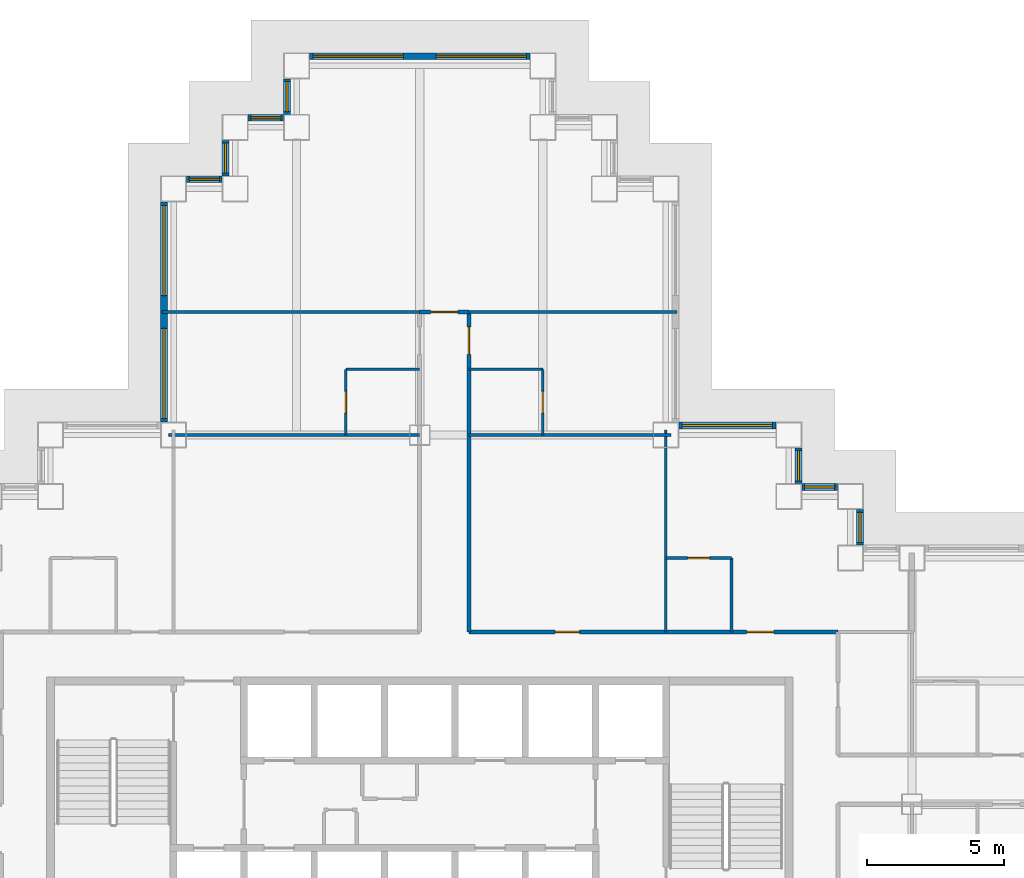
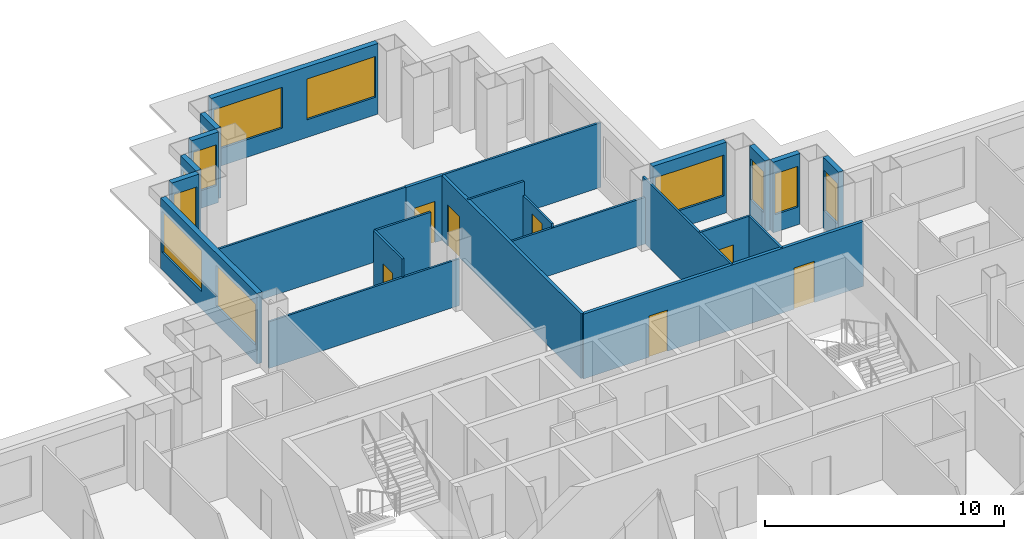
# One storey, part 8 of 14: 24 walls, 12 windows, 7 doors, 19 openings.
"""IFC4 building model written with IfcOpenShell, lengths in metres."""

from ifc_helpers import new_model, si_unit, direction, frame, frame_2d, origin, place, context, subcontext, project, spatial, rectangle, extrude, material, layer, layer_set, type_object, element, fill, save


model = new_model("IFC4")

# Units and contexts
model_context = context("Model", 3, precision=1e-05, world=origin(), true_north=direction((0.0, 1.0)))
body_context = subcontext(model_context, "Body", "Model", "MODEL_VIEW")
ifc_project = project(units=[si_unit("LENGTHUNIT", "METRE"), si_unit("AREAUNIT", "SQUARE_METRE"), si_unit("VOLUMEUNIT", "CUBIC_METRE"), si_unit("PLANEANGLEUNIT", "RADIAN"), si_unit("MASSUNIT", "GRAM", prefix="KILO")], contexts=[model_context])

# Site, building, storey
site_placement = place(None, origin())
site = spatial("IfcSite", under=ifc_project, at=site_placement, CompositionType="ELEMENT")
building_placement = place(site_placement, origin())
building = spatial("IfcBuilding", under=site, at=building_placement, Name="Caravel Reach Hotel and Residences", CompositionType="ELEMENT")
storey_placement = place(building_placement, frame((0.0, 0.0, 88.800048828125)))
storey = spatial("IfcBuildingStorey", under=building, at=storey_placement, Name="L21", CompositionType="ELEMENT", Elevation=88.800048828125)

# Wall, opening, door
ifc_material_1 = material(Name="Gypsum board on steel stud", Category="steel")
ifc_layer_1 = layer(ifc_material_1, 0.10009765625)
ifc_layer_set_1 = layer_set([ifc_layer_1], Name="Bathroom pod wall 100 mm")
wall_type_1 = type_object("IfcWallType", Name="Bathroom pod wall 100 mm", PredefinedType="PARTITIONING", material=ifc_layer_set_1)
wall_1_placement = place(storey_placement, frame((40.5, 36.0, 0.0), z_axis=(0.0, 0.0, 1.0), x_axis=(1.0, 0.0, 0.0)))
wall_1 = element("IfcWall", 1, at=wall_1_placement, inside=storey, type_object=wall_type_1, Name="L21 wall w080", PredefinedType="PARTITIONING", context=body_context, shape_type="SweptSolid", body=[
    extrude(rectangle(XDim=2.39990234375, YDim=0.10009765625, at=frame_2d((1.199951171875, 0.0))), origin(), (0.0, 0.0, 1.0), 3.300048828125),
])
opening_1_placement = place(wall_1_placement, frame((0.800048828125, 0.0, 0.0)))
opening_1 = element("IfcOpeningElement", 2, at=opening_1_placement, cuts=wall_1, Name="Opening D21-041", PredefinedType="OPENING", context=body_context, shape_type="SweptSolid", body=[
    extrude(rectangle(XDim=0.800048828125, YDim=2.10009765625, at=frame_2d((0.39990234375, 1.050048828125))), frame((0.0, 0.06005859375, 0.0), z_axis=(0.0, -1.0, 0.0), x_axis=(1.0, 0.0, 0.0)), (0.0, 0.0, 1.0), 0.1201171875),
])
ifc_material_2 = material(Name="Timber and steel door leaf", Category="steel")
door_type_1 = type_object("IfcDoorType", Name="Bathroom door 800 x 2100", OperationType="SINGLE_SWING_LEFT", PredefinedType="DOOR", material=ifc_material_2)
door_1_placement = place(opening_1_placement, origin())
door_1 = element("IfcDoor", 3, at=door_1_placement, inside=storey, type_object=door_type_1, Name="door D21-041", OperationType="SINGLE_SWING_RIGHT", OverallHeight=2.10009765625, OverallWidth=0.800048828125, PredefinedType="DOOR", context=body_context, shape_type="SweptSolid", body=[
    extrude(rectangle(XDim=0.800048828125, YDim=2.10009765625, at=frame_2d((0.39990234375, 1.050048828125))), frame((0.0, 0.02490234375, 0.0), z_axis=(0.0, -1.0, 0.0), x_axis=(1.0, 0.0, 0.0)), (0.0, 0.0, 1.0), 0.050048828125),
])
fill(opening_1, door_1)

# Walls
for number, where, z_axis, x_axis, name in (
    (4, (33.300048828125, 42.89990234375, 0.0), (0.0, 0.0, 1.0), (1.0, 0.0, 0.0), "L21 wall w081"),
    (5, (28.800048828125, 42.89990234375, 0.0), (0.0, 0.0, 1.0), (1.0, 0.0, 0.0), "L21 wall w082"),
):
    element("IfcWall", number, at=place(storey_placement, frame(where, z_axis=z_axis, x_axis=x_axis)), inside=storey, type_object=wall_type_1, Name=name, PredefinedType="PARTITIONING", context=body_context, shape_type="SweptSolid", body=[
        extrude(rectangle(XDim=2.699951171875, YDim=0.10009765625, at=frame_2d((1.35009765625, 0.0))), origin(), (0.0, 0.0, 1.0), 3.300048828125),
    ])

# Wall, opening, door
wall_2_placement = place(storey_placement, frame((28.800048828125, 40.5, 0.0), z_axis=(0.0, 0.0, 1.0), x_axis=(0.0, 1.0, 0.0)))
wall_2 = element("IfcWall", 6, at=wall_2_placement, inside=storey, type_object=wall_type_1, Name="L21 wall w087", PredefinedType="PARTITIONING", context=body_context, shape_type="SweptSolid", body=[
    extrude(rectangle(XDim=2.39990234375, YDim=0.10009765625, at=frame_2d((1.199951171875, 0.0))), origin(), (0.0, 0.0, 1.0), 3.300048828125),
])
opening_2_placement = place(wall_2_placement, frame((0.800048828125, 0.0, 0.0)))
opening_2 = element("IfcOpeningElement", 7, at=opening_2_placement, cuts=wall_2, Name="Opening D21-027", PredefinedType="OPENING", context=body_context, shape_type="SweptSolid", body=[
    extrude(rectangle(XDim=0.800048828125, YDim=2.10009765625, at=frame_2d((0.39990234375, 1.050048828125))), frame((0.0, 0.06005859375, 0.0), z_axis=(0.0, -1.0, 0.0), x_axis=(1.0, 0.0, 0.0)), (0.0, 0.0, 1.0), 0.1201171875),
])
door_2_placement = place(opening_2_placement, origin())
door_2 = element("IfcDoor", 8, at=door_2_placement, inside=storey, type_object=door_type_1, Name="door D21-027", OperationType="SINGLE_SWING_RIGHT", OverallHeight=2.10009765625, OverallWidth=0.800048828125, PredefinedType="DOOR", context=body_context, shape_type="SweptSolid", body=[
    extrude(rectangle(XDim=0.800048828125, YDim=2.10009765625, at=frame_2d((0.39990234375, 1.050048828125))), frame((0.0, 0.02490234375, 0.0), z_axis=(0.0, -1.0, 0.0), x_axis=(1.0, 0.0, 0.0)), (0.0, 0.0, 1.0), 0.050048828125),
])
fill(opening_2, door_2)

wall_3_placement = place(storey_placement, frame((36.0, 40.5, 0.0), z_axis=(0.0, 0.0, 1.0), x_axis=(0.0, 1.0, 0.0)))
wall_3 = element("IfcWall", 9, at=wall_3_placement, inside=storey, type_object=wall_type_1, Name="L21 wall w089", PredefinedType="PARTITIONING", context=body_context, shape_type="SweptSolid", body=[
    extrude(rectangle(XDim=2.39990234375, YDim=0.10009765625, at=frame_2d((1.199951171875, 0.0))), origin(), (0.0, 0.0, 1.0), 2.579833984375),
])
opening_3_placement = place(wall_3_placement, frame((0.800048828125, 0.0, 0.0)))
opening_3 = element("IfcOpeningElement", 10, at=opening_3_placement, cuts=wall_3, Name="Opening D21-029", PredefinedType="OPENING", context=body_context, shape_type="SweptSolid", body=[
    extrude(rectangle(XDim=0.800048828125, YDim=2.10009765625, at=frame_2d((0.39990234375, 1.050048828125))), frame((0.0, 0.06005859375, 0.0), z_axis=(0.0, -1.0, 0.0), x_axis=(1.0, 0.0, 0.0)), (0.0, 0.0, 1.0), 0.1201171875),
])
door_3_placement = place(opening_3_placement, origin())
door_3 = element("IfcDoor", 11, at=door_3_placement, inside=storey, type_object=door_type_1, Name="door D21-029", OperationType="SINGLE_SWING_RIGHT", OverallHeight=2.10009765625, OverallWidth=0.800048828125, PredefinedType="DOOR", context=body_context, shape_type="SweptSolid", body=[
    extrude(rectangle(XDim=0.800048828125, YDim=2.10009765625, at=frame_2d((0.39990234375, 1.050048828125))), frame((0.0, 0.02490234375, 0.0), z_axis=(0.0, -1.0, 0.0), x_axis=(1.0, 0.0, 0.0)), (0.0, 0.0, 1.0), 0.050048828125),
])
fill(opening_3, door_3)

# Wall
wall_4_placement = place(storey_placement, frame((42.89990234375, 33.300048828125, 0.0), z_axis=(0.0, 0.0, 1.0), x_axis=(0.0, 1.0, 0.0)))
element("IfcWall", 12, at=wall_4_placement, inside=storey, type_object=wall_type_1, Name="L21 wall w090", PredefinedType="PARTITIONING", context=body_context, shape_type="SweptSolid", body=[
    extrude(rectangle(XDim=2.699951171875, YDim=0.10009765625, at=frame_2d((1.35009765625, 0.0))), origin(), (0.0, 0.0, 1.0), 3.300048828125),
])

# Wall, openings, doors
ifc_material_3 = material(Name="Gypsum board on steel stud, fire-rated", Category="steel")
ifc_layer_2 = layer(ifc_material_3, 0.14990234375)
ifc_layer_set_2 = layer_set([ifc_layer_2], Name="Corridor wall 150 mm EI 60")
wall_type_2 = type_object("IfcWallType", Name="Corridor wall 150 mm EI 60", PredefinedType="PARTITIONING", material=ifc_layer_set_2)
wall_5_placement = place(storey_placement, frame((33.300048828125, 33.300048828125, 0.0), z_axis=(0.0, 0.0, 1.0), x_axis=(1.0, 0.0, 0.0)))
wall_5 = element("IfcWall", 13, at=wall_5_placement, inside=storey, type_object=wall_type_2, Name="L21 wall w021", PredefinedType="PARTITIONING", context=body_context, shape_type="SweptSolid", body=[
    extrude(rectangle(XDim=13.5, YDim=0.14990234375, at=frame_2d((6.75, 0.0))), origin(), (0.0, 0.0, 1.0), 3.300048828125),
])
opening_4_placement = place(wall_5_placement, frame((10.14990234375, 0.0, 0.0)))
opening_4 = element("IfcOpeningElement", 14, at=opening_4_placement, cuts=wall_5, Name="Opening D21-040", PredefinedType="OPENING", context=body_context, shape_type="SweptSolid", body=[
    extrude(rectangle(XDim=1.0, YDim=2.10009765625, at=frame_2d((0.5, 1.050048828125))), frame((0.0, 0.0849609375, 0.0), z_axis=(0.0, -1.0, 0.0), x_axis=(1.0, 0.0, 0.0)), (0.0, 0.0, 1.0), 0.169921875),
])
opening_5_placement = place(wall_5_placement, frame((3.14990234375, 0.0, 0.0)))
opening_5 = element("IfcOpeningElement", 15, at=opening_5_placement, cuts=wall_5, Name="Opening D21-049", PredefinedType="OPENING", context=body_context, shape_type="SweptSolid", body=[
    extrude(rectangle(XDim=0.89990234375, YDim=2.10009765625, at=frame_2d((0.449951171875, 1.050048828125))), frame((0.0, 0.0849609375, 0.0), z_axis=(0.0, -1.0, 0.0), x_axis=(1.0, 0.0, 0.0)), (0.0, 0.0, 1.0), 0.169921875),
])
ifc_material_4 = material(Name="Timber and steel door leaf", Category="steel")
door_type_2 = type_object("IfcDoorType", Name="Door 900 x 2100 timber", OperationType="SINGLE_SWING_LEFT", PredefinedType="DOOR", material=ifc_material_4)
door_4_placement = place(opening_5_placement, origin())
door_4 = element("IfcDoor", 16, at=door_4_placement, inside=storey, type_object=door_type_2, Name="door D21-049", OperationType="SINGLE_SWING_LEFT", OverallHeight=2.10009765625, OverallWidth=0.89990234375, PredefinedType="DOOR", context=body_context, shape_type="SweptSolid", body=[
    extrude(rectangle(XDim=0.89990234375, YDim=2.10009765625, at=frame_2d((0.449951171875, 1.050048828125))), frame((0.0, 0.02490234375, 0.0), z_axis=(0.0, -1.0, 0.0), x_axis=(1.0, 0.0, 0.0)), (0.0, 0.0, 1.0), 0.050048828125),
])
fill(opening_5, door_4)
ifc_material_5 = material(Name="Steel fire door leaf", Category="steel")
door_type_3 = type_object("IfcDoorType", Name="Guest room door 1000 x 2100 EI 30", OperationType="SINGLE_SWING_LEFT", PredefinedType="DOOR", material=ifc_material_5)
door_5_placement = place(opening_4_placement, origin())
door_5 = element("IfcDoor", 17, at=door_5_placement, inside=storey, type_object=door_type_3, Name="door D21-040", OperationType="SINGLE_SWING_RIGHT", OverallHeight=2.10009765625, OverallWidth=1.0, PredefinedType="DOOR", context=body_context, shape_type="SweptSolid", body=[
    extrude(rectangle(XDim=1.0, YDim=2.10009765625, at=frame_2d((0.5, 1.050048828125))), frame((0.0, 0.02490234375, 0.0), z_axis=(0.0, -1.0, 0.0), x_axis=(1.0, 0.0, 0.0)), (0.0, 0.0, 1.0), 0.050048828125),
])
fill(opening_4, door_5)

# Wall, opening, door
wall_6_placement = place(storey_placement, frame((31.5, 45.0, 0.0), z_axis=(0.0, 0.0, 1.0), x_axis=(1.0, 0.0, 0.0)))
wall_6 = element("IfcWall", 18, at=wall_6_placement, inside=storey, type_object=wall_type_2, Name="L21 wall w022", PredefinedType="PARTITIONING", context=body_context, shape_type="SweptSolid", body=[
    extrude(rectangle(XDim=1.800048828125, YDim=0.14990234375, at=frame_2d((0.89990234375, 0.0))), origin(), (0.0, 0.0, 1.0), 3.300048828125),
])
opening_6_placement = place(wall_6_placement, frame((0.39990234375, 0.0, 0.0)))
opening_6 = element("IfcOpeningElement", 19, at=opening_6_placement, cuts=wall_6, Name="Opening D21-036", PredefinedType="OPENING", context=body_context, shape_type="SweptSolid", body=[
    extrude(rectangle(XDim=1.0, YDim=2.10009765625, at=frame_2d((0.5, 1.050048828125))), frame((0.0, 0.0849609375, 0.0), z_axis=(0.0, -1.0, 0.0), x_axis=(1.0, 0.0, 0.0)), (0.0, 0.0, 1.0), 0.169921875),
])
door_6_placement = place(opening_6_placement, origin())
door_6 = element("IfcDoor", 20, at=door_6_placement, inside=storey, type_object=door_type_3, Name="door D21-036", OperationType="SINGLE_SWING_LEFT", OverallHeight=2.10009765625, OverallWidth=1.0, PredefinedType="DOOR", context=body_context, shape_type="SweptSolid", body=[
    extrude(rectangle(XDim=1.0, YDim=2.10009765625, at=frame_2d((0.5, 1.050048828125))), frame((0.0, 0.02490234375, 0.0), z_axis=(0.0, -1.0, 0.0), x_axis=(1.0, 0.0, 0.0)), (0.0, 0.0, 1.0), 0.050048828125),
])
fill(opening_6, door_6)

wall_7_placement = place(storey_placement, frame((33.300048828125, 33.300048828125, 0.0), z_axis=(0.0, 0.0, 1.0), x_axis=(0.0, 1.0, 0.0)))
wall_7 = element("IfcWall", 21, at=wall_7_placement, inside=storey, type_object=wall_type_2, Name="L21 wall w033", PredefinedType="PARTITIONING", context=body_context, shape_type="SweptSolid", body=[
    extrude(rectangle(XDim=11.699951171875, YDim=0.14990234375, at=frame_2d((5.85009765625, 0.0))), origin(), (0.0, 0.0, 1.0), 3.300048828125),
])
opening_7_placement = place(wall_7_placement, frame((10.14990234375, 0.0, 0.0)))
opening_7 = element("IfcOpeningElement", 22, at=opening_7_placement, cuts=wall_7, Name="Opening D21-028", PredefinedType="OPENING", context=body_context, shape_type="SweptSolid", body=[
    extrude(rectangle(XDim=1.0, YDim=2.10009765625, at=frame_2d((0.5, 1.050048828125))), frame((0.0, 0.0849609375, 0.0), z_axis=(0.0, -1.0, 0.0), x_axis=(1.0, 0.0, 0.0)), (0.0, 0.0, 1.0), 0.169921875),
])
door_7_placement = place(opening_7_placement, origin())
door_7 = element("IfcDoor", 23, at=door_7_placement, inside=storey, type_object=door_type_3, Name="door D21-028", OperationType="SINGLE_SWING_RIGHT", OverallHeight=2.10009765625, OverallWidth=1.0, PredefinedType="DOOR", context=body_context, shape_type="SweptSolid", body=[
    extrude(rectangle(XDim=1.0, YDim=2.10009765625, at=frame_2d((0.5, 1.050048828125))), frame((0.0, 0.02490234375, 0.0), z_axis=(0.0, -1.0, 0.0), x_axis=(1.0, 0.0, 0.0)), (0.0, 0.0, 1.0), 0.050048828125),
])
fill(opening_7, door_7)

# Wall, opening, window
ifc_material_6 = material(Name="Insulated rainscreen wall, aluminium cladding", Category="aluminium")
ifc_layer_3 = layer(ifc_material_6, 0.25)
ifc_layer_set_3 = layer_set([ifc_layer_3], Name="EW1 Tower rainscreen wall")
wall_type_3 = type_object("IfcWallType", Name="EW1 Tower rainscreen wall", PredefinedType="SOLIDWALL", material=ifc_layer_set_3)
wall_8_placement = place(storey_placement, frame((47.60009765625, 36.47509765625, 0.0), z_axis=(0.0, 0.0, 1.0), x_axis=(0.0, 1.0, 0.0)))
wall_8 = element("IfcWall", 24, at=wall_8_placement, inside=storey, type_object=wall_type_3, Name="External wall L21 E26.1", PredefinedType="SOLIDWALL", context=body_context, shape_type="SweptSolid", body=[
    extrude(rectangle(XDim=1.2998046875, YDim=0.25, at=frame_2d((0.64990234375, 0.0))), origin(), (0.0, 0.0, 1.0), 3.599853515625),
])
opening_8_placement = place(wall_8_placement, frame((0.10009765625, 0.0, 0.89990234375)))
opening_8 = element("IfcOpeningElement", 25, at=opening_8_placement, cuts=wall_8, Name="Opening WN5", PredefinedType="OPENING", context=body_context, shape_type="SweptSolid", body=[
    extrude(rectangle(XDim=1.10009765625, YDim=2.080078125, at=frame_2d((0.550048828125, 1.0400390625))), frame((0.0, 0.135009765625, 0.0), z_axis=(0.0, -1.0, 0.0), x_axis=(1.0, 0.0, 0.0)), (0.0, 0.0, 1.0), 0.27001953125),
])
ifc_material_7 = material(Name="Dark low-e glazing in black aluminium frame", Category="aluminium")
window_type_1 = type_object("IfcWindowType", Name="Hotel suite corner window 1100 x 2080", PartitioningType="SINGLE_PANEL", PredefinedType="WINDOW", material=ifc_material_7)
window_1_placement = place(opening_8_placement, origin())
window_1 = element("IfcWindow", 26, at=window_1_placement, inside=storey, type_object=window_type_1, Name="Window L21 E26.1.1", OverallHeight=2.080078125, OverallWidth=1.10009765625, PartitioningType="SINGLE_PANEL", PredefinedType="WINDOW", context=body_context, shape_type="SweptSolid", body=[
    extrude(rectangle(XDim=1.10009765625, YDim=2.080078125, at=frame_2d((0.550048828125, 1.0400390625))), frame((0.0, 0.030029296875, 0.0), z_axis=(0.0, -1.0, 0.0), x_axis=(1.0, 0.0, 0.0)), (0.0, 0.0, 1.0), 0.06005859375),
])
fill(opening_8, window_1)

wall_9_placement = place(storey_placement, frame((46.77490234375, 38.60009765625, 0.0), z_axis=(0.0, 0.0, 1.0), x_axis=(-1.0, 0.0, 0.0)))
wall_9 = element("IfcWall", 27, at=wall_9_placement, inside=storey, type_object=wall_type_3, Name="External wall L21 N27.1", PredefinedType="SOLIDWALL", context=body_context, shape_type="SweptSolid", body=[
    extrude(rectangle(XDim=1.2998046875, YDim=0.25, at=frame_2d((0.64990234375, 0.0))), origin(), (0.0, 0.0, 1.0), 3.599853515625),
])
opening_9_placement = place(wall_9_placement, frame((0.10009765625, 0.0, 0.89990234375)))
opening_9 = element("IfcOpeningElement", 28, at=opening_9_placement, cuts=wall_9, Name="Opening WN5", PredefinedType="OPENING", context=body_context, shape_type="SweptSolid", body=[
    extrude(rectangle(XDim=1.10009765625, YDim=2.080078125, at=frame_2d((0.550048828125, 1.0400390625))), frame((0.0, 0.135009765625, 0.0), z_axis=(0.0, -1.0, 0.0), x_axis=(1.0, 0.0, 0.0)), (0.0, 0.0, 1.0), 0.27001953125),
])
window_2_placement = place(opening_9_placement, origin())
window_2 = element("IfcWindow", 29, at=window_2_placement, inside=storey, type_object=window_type_1, Name="Window L21 N27.1.1", OverallHeight=2.080078125, OverallWidth=1.10009765625, PartitioningType="SINGLE_PANEL", PredefinedType="WINDOW", context=body_context, shape_type="SweptSolid", body=[
    extrude(rectangle(XDim=1.10009765625, YDim=2.080078125, at=frame_2d((0.550048828125, 1.0400390625))), frame((0.0, 0.030029296875, 0.0), z_axis=(0.0, -1.0, 0.0), x_axis=(1.0, 0.0, 0.0)), (0.0, 0.0, 1.0), 0.06005859375),
])
fill(opening_9, window_2)

wall_10_placement = place(storey_placement, frame((45.35009765625, 38.72509765625, 0.0), z_axis=(0.0, 0.0, 1.0), x_axis=(0.0, 1.0, 0.0)))
wall_10 = element("IfcWall", 30, at=wall_10_placement, inside=storey, type_object=wall_type_3, Name="External wall L21 E28.1", PredefinedType="SOLIDWALL", context=body_context, shape_type="SweptSolid", body=[
    extrude(rectangle(XDim=1.2998046875, YDim=0.25, at=frame_2d((0.64990234375, 0.0))), origin(), (0.0, 0.0, 1.0), 3.599853515625),
])
opening_10_placement = place(wall_10_placement, frame((0.10009765625, 0.0, 0.89990234375)))
opening_10 = element("IfcOpeningElement", 31, at=opening_10_placement, cuts=wall_10, Name="Opening WN5", PredefinedType="OPENING", context=body_context, shape_type="SweptSolid", body=[
    extrude(rectangle(XDim=1.10009765625, YDim=2.080078125, at=frame_2d((0.550048828125, 1.0400390625))), frame((0.0, 0.135009765625, 0.0), z_axis=(0.0, -1.0, 0.0), x_axis=(1.0, 0.0, 0.0)), (0.0, 0.0, 1.0), 0.27001953125),
])
window_3_placement = place(opening_10_placement, origin())
window_3 = element("IfcWindow", 32, at=window_3_placement, inside=storey, type_object=window_type_1, Name="Window L21 E28.1.1", OverallHeight=2.080078125, OverallWidth=1.10009765625, PartitioningType="SINGLE_PANEL", PredefinedType="WINDOW", context=body_context, shape_type="SweptSolid", body=[
    extrude(rectangle(XDim=1.10009765625, YDim=2.080078125, at=frame_2d((0.550048828125, 1.0400390625))), frame((0.0, 0.030029296875, 0.0), z_axis=(0.0, -1.0, 0.0), x_axis=(1.0, 0.0, 0.0)), (0.0, 0.0, 1.0), 0.06005859375),
])
fill(opening_10, window_3)

wall_11_placement = place(storey_placement, frame((44.52490234375, 40.85009765625, 0.0), z_axis=(0.0, 0.0, 1.0), x_axis=(-1.0, 0.0, 0.0)))
wall_11 = element("IfcWall", 33, at=wall_11_placement, inside=storey, type_object=wall_type_3, Name="External wall L21 N29.1", PredefinedType="SOLIDWALL", context=body_context, shape_type="SweptSolid", body=[
    extrude(rectangle(XDim=3.5498046875, YDim=0.25, at=frame_2d((1.77490234375, 0.0))), origin(), (0.0, 0.0, 1.0), 3.599853515625),
])
opening_11_placement = place(wall_11_placement, frame((0.125, 0.0, 0.89990234375)))
opening_11 = element("IfcOpeningElement", 34, at=opening_11_placement, cuts=wall_11, Name="Opening WN4", PredefinedType="OPENING", context=body_context, shape_type="SweptSolid", body=[
    extrude(rectangle(XDim=3.300048828125, YDim=2.080078125, at=frame_2d((1.64990234375, 1.0400390625))), frame((0.0, 0.135009765625, 0.0), z_axis=(0.0, -1.0, 0.0), x_axis=(1.0, 0.0, 0.0)), (0.0, 0.0, 1.0), 0.27001953125),
])
ifc_material_8 = material(Name="Dark low-e glazing in black aluminium frame", Category="aluminium")
window_type_2 = type_object("IfcWindowType", Name="Hotel guest room window 3300 x 2080", PartitioningType="SINGLE_PANEL", PredefinedType="WINDOW", material=ifc_material_8)
window_4_placement = place(opening_11_placement, origin())
window_4 = element("IfcWindow", 35, at=window_4_placement, inside=storey, type_object=window_type_2, Name="Window L21 N29.1.1", OverallHeight=2.080078125, OverallWidth=3.300048828125, PartitioningType="SINGLE_PANEL", PredefinedType="WINDOW", context=body_context, shape_type="SweptSolid", body=[
    extrude(rectangle(XDim=3.300048828125, YDim=2.080078125, at=frame_2d((1.64990234375, 1.0400390625))), frame((0.0, 0.030029296875, 0.0), z_axis=(0.0, -1.0, 0.0), x_axis=(1.0, 0.0, 0.0)), (0.0, 0.0, 1.0), 0.06005859375),
])
fill(opening_11, window_4)

# Wall, openings, windows
wall_12_placement = place(storey_placement, frame((35.52490234375, 54.35009765625, 0.0), z_axis=(0.0, 0.0, 1.0), x_axis=(-1.0, 0.0, 0.0)))
wall_12 = element("IfcWall", 36, at=wall_12_placement, inside=storey, type_object=wall_type_3, Name="External wall L21 N35.1", PredefinedType="SOLIDWALL", context=body_context, shape_type="SweptSolid", body=[
    extrude(rectangle(XDim=8.0498046875, YDim=0.25, at=frame_2d((4.02490234375, 0.0))), origin(), (0.0, 0.0, 1.0), 3.599853515625),
])
opening_12_placement = place(wall_12_placement, frame((0.125, 0.0, 0.89990234375)))
opening_12 = element("IfcOpeningElement", 37, at=opening_12_placement, cuts=wall_12, Name="Opening WN4", PredefinedType="OPENING", context=body_context, shape_type="SweptSolid", body=[
    extrude(rectangle(XDim=3.300048828125, YDim=2.080078125, at=frame_2d((1.64990234375, 1.0400390625))), frame((0.0, 0.135009765625, 0.0), z_axis=(0.0, -1.0, 0.0), x_axis=(1.0, 0.0, 0.0)), (0.0, 0.0, 1.0), 0.27001953125),
])
opening_13_placement = place(wall_12_placement, frame((4.625, 0.0, 0.89990234375)))
opening_13 = element("IfcOpeningElement", 38, at=opening_13_placement, cuts=wall_12, Name="Opening WN4", PredefinedType="OPENING", context=body_context, shape_type="SweptSolid", body=[
    extrude(rectangle(XDim=3.300048828125, YDim=2.080078125, at=frame_2d((1.64990234375, 1.0400390625))), frame((0.0, 0.135009765625, 0.0), z_axis=(0.0, -1.0, 0.0), x_axis=(1.0, 0.0, 0.0)), (0.0, 0.0, 1.0), 0.27001953125),
])
window_5_placement = place(opening_12_placement, origin())
window_5 = element("IfcWindow", 39, at=window_5_placement, inside=storey, type_object=window_type_2, Name="Window L21 N35.1.1", OverallHeight=2.080078125, OverallWidth=3.300048828125, PartitioningType="SINGLE_PANEL", PredefinedType="WINDOW", context=body_context, shape_type="SweptSolid", body=[
    extrude(rectangle(XDim=3.300048828125, YDim=2.080078125, at=frame_2d((1.64990234375, 1.0400390625))), frame((0.0, 0.030029296875, 0.0), z_axis=(0.0, -1.0, 0.0), x_axis=(1.0, 0.0, 0.0)), (0.0, 0.0, 1.0), 0.06005859375),
])
fill(opening_12, window_5)
window_6_placement = place(opening_13_placement, origin())
window_6 = element("IfcWindow", 40, at=window_6_placement, inside=storey, type_object=window_type_2, Name="Window L21 N35.1.2", OverallHeight=2.080078125, OverallWidth=3.300048828125, PartitioningType="SINGLE_PANEL", PredefinedType="WINDOW", context=body_context, shape_type="SweptSolid", body=[
    extrude(rectangle(XDim=3.300048828125, YDim=2.080078125, at=frame_2d((1.64990234375, 1.0400390625))), frame((0.0, 0.030029296875, 0.0), z_axis=(0.0, -1.0, 0.0), x_axis=(1.0, 0.0, 0.0)), (0.0, 0.0, 1.0), 0.06005859375),
])
fill(opening_13, window_6)

# Wall, opening, window
wall_13_placement = place(storey_placement, frame((26.64990234375, 53.52490234375, 0.0), z_axis=(0.0, 0.0, 1.0), x_axis=(0.0, -1.0, 0.0)))
wall_13 = element("IfcWall", 41, at=wall_13_placement, inside=storey, type_object=wall_type_3, Name="External wall L21 W36.1", PredefinedType="SOLIDWALL", context=body_context, shape_type="SweptSolid", body=[
    extrude(rectangle(XDim=1.2998046875, YDim=0.25, at=frame_2d((0.64990234375, 0.0))), origin(), (0.0, 0.0, 1.0), 3.599853515625),
])
opening_14_placement = place(wall_13_placement, frame((0.10009765625, 0.0, 0.89990234375)))
opening_14 = element("IfcOpeningElement", 42, at=opening_14_placement, cuts=wall_13, Name="Opening WN5", PredefinedType="OPENING", context=body_context, shape_type="SweptSolid", body=[
    extrude(rectangle(XDim=1.10009765625, YDim=2.080078125, at=frame_2d((0.550048828125, 1.0400390625))), frame((0.0, 0.135009765625, 0.0), z_axis=(0.0, -1.0, 0.0), x_axis=(1.0, 0.0, 0.0)), (0.0, 0.0, 1.0), 0.27001953125),
])
window_7_placement = place(opening_14_placement, origin())
window_7 = element("IfcWindow", 43, at=window_7_placement, inside=storey, type_object=window_type_1, Name="Window L21 W36.1.1", OverallHeight=2.080078125, OverallWidth=1.10009765625, PartitioningType="SINGLE_PANEL", PredefinedType="WINDOW", context=body_context, shape_type="SweptSolid", body=[
    extrude(rectangle(XDim=1.10009765625, YDim=2.080078125, at=frame_2d((0.550048828125, 1.0400390625))), frame((0.0, 0.030029296875, 0.0), z_axis=(0.0, -1.0, 0.0), x_axis=(1.0, 0.0, 0.0)), (0.0, 0.0, 1.0), 0.06005859375),
])
fill(opening_14, window_7)

wall_14_placement = place(storey_placement, frame((26.52490234375, 52.10009765625, 0.0), z_axis=(0.0, 0.0, 1.0), x_axis=(-1.0, 0.0, 0.0)))
wall_14 = element("IfcWall", 44, at=wall_14_placement, inside=storey, type_object=wall_type_3, Name="External wall L21 N37.1", PredefinedType="SOLIDWALL", context=body_context, shape_type="SweptSolid", body=[
    extrude(rectangle(XDim=1.2998046875, YDim=0.25, at=frame_2d((0.64990234375, 0.0))), origin(), (0.0, 0.0, 1.0), 3.599853515625),
])
opening_15_placement = place(wall_14_placement, frame((0.10009765625, 0.0, 0.89990234375)))
opening_15 = element("IfcOpeningElement", 45, at=opening_15_placement, cuts=wall_14, Name="Opening WN5", PredefinedType="OPENING", context=body_context, shape_type="SweptSolid", body=[
    extrude(rectangle(XDim=1.10009765625, YDim=2.080078125, at=frame_2d((0.550048828125, 1.0400390625))), frame((0.0, 0.135009765625, 0.0), z_axis=(0.0, -1.0, 0.0), x_axis=(1.0, 0.0, 0.0)), (0.0, 0.0, 1.0), 0.27001953125),
])
window_8_placement = place(opening_15_placement, origin())
window_8 = element("IfcWindow", 46, at=window_8_placement, inside=storey, type_object=window_type_1, Name="Window L21 N37.1.1", OverallHeight=2.080078125, OverallWidth=1.10009765625, PartitioningType="SINGLE_PANEL", PredefinedType="WINDOW", context=body_context, shape_type="SweptSolid", body=[
    extrude(rectangle(XDim=1.10009765625, YDim=2.080078125, at=frame_2d((0.550048828125, 1.0400390625))), frame((0.0, 0.030029296875, 0.0), z_axis=(0.0, -1.0, 0.0), x_axis=(1.0, 0.0, 0.0)), (0.0, 0.0, 1.0), 0.06005859375),
])
fill(opening_15, window_8)

wall_15_placement = place(storey_placement, frame((24.39990234375, 51.27490234375, 0.0), z_axis=(0.0, 0.0, 1.0), x_axis=(0.0, -1.0, 0.0)))
wall_15 = element("IfcWall", 47, at=wall_15_placement, inside=storey, type_object=wall_type_3, Name="External wall L21 W38.1", PredefinedType="SOLIDWALL", context=body_context, shape_type="SweptSolid", body=[
    extrude(rectangle(XDim=1.2998046875, YDim=0.25, at=frame_2d((0.64990234375, 0.0))), origin(), (0.0, 0.0, 1.0), 3.599853515625),
])
opening_16_placement = place(wall_15_placement, frame((0.10009765625, 0.0, 0.89990234375)))
opening_16 = element("IfcOpeningElement", 48, at=opening_16_placement, cuts=wall_15, Name="Opening WN5", PredefinedType="OPENING", context=body_context, shape_type="SweptSolid", body=[
    extrude(rectangle(XDim=1.10009765625, YDim=2.080078125, at=frame_2d((0.550048828125, 1.0400390625))), frame((0.0, 0.135009765625, 0.0), z_axis=(0.0, -1.0, 0.0), x_axis=(1.0, 0.0, 0.0)), (0.0, 0.0, 1.0), 0.27001953125),
])
window_9_placement = place(opening_16_placement, origin())
window_9 = element("IfcWindow", 49, at=window_9_placement, inside=storey, type_object=window_type_1, Name="Window L21 W38.1.1", OverallHeight=2.080078125, OverallWidth=1.10009765625, PartitioningType="SINGLE_PANEL", PredefinedType="WINDOW", context=body_context, shape_type="SweptSolid", body=[
    extrude(rectangle(XDim=1.10009765625, YDim=2.080078125, at=frame_2d((0.550048828125, 1.0400390625))), frame((0.0, 0.030029296875, 0.0), z_axis=(0.0, -1.0, 0.0), x_axis=(1.0, 0.0, 0.0)), (0.0, 0.0, 1.0), 0.06005859375),
])
fill(opening_16, window_9)

wall_16_placement = place(storey_placement, frame((24.27490234375, 49.85009765625, 0.0), z_axis=(0.0, 0.0, 1.0), x_axis=(-1.0, 0.0, 0.0)))
wall_16 = element("IfcWall", 50, at=wall_16_placement, inside=storey, type_object=wall_type_3, Name="External wall L21 N39.1", PredefinedType="SOLIDWALL", context=body_context, shape_type="SweptSolid", body=[
    extrude(rectangle(XDim=1.2998046875, YDim=0.25, at=frame_2d((0.64990234375, 0.0))), origin(), (0.0, 0.0, 1.0), 3.599853515625),
])
opening_17_placement = place(wall_16_placement, frame((0.10009765625, 0.0, 0.89990234375)))
opening_17 = element("IfcOpeningElement", 51, at=opening_17_placement, cuts=wall_16, Name="Opening WN5", PredefinedType="OPENING", context=body_context, shape_type="SweptSolid", body=[
    extrude(rectangle(XDim=1.10009765625, YDim=2.080078125, at=frame_2d((0.550048828125, 1.0400390625))), frame((0.0, 0.135009765625, 0.0), z_axis=(0.0, -1.0, 0.0), x_axis=(1.0, 0.0, 0.0)), (0.0, 0.0, 1.0), 0.27001953125),
])
window_10_placement = place(opening_17_placement, origin())
window_10 = element("IfcWindow", 52, at=window_10_placement, inside=storey, type_object=window_type_1, Name="Window L21 N39.1.1", OverallHeight=2.080078125, OverallWidth=1.10009765625, PartitioningType="SINGLE_PANEL", PredefinedType="WINDOW", context=body_context, shape_type="SweptSolid", body=[
    extrude(rectangle(XDim=1.10009765625, YDim=2.080078125, at=frame_2d((0.550048828125, 1.0400390625))), frame((0.0, 0.030029296875, 0.0), z_axis=(0.0, -1.0, 0.0), x_axis=(1.0, 0.0, 0.0)), (0.0, 0.0, 1.0), 0.06005859375),
])
fill(opening_17, window_10)

# Wall, openings, windows
wall_17_placement = place(storey_placement, frame((22.14990234375, 49.02490234375, 0.0), z_axis=(0.0, 0.0, 1.0), x_axis=(0.0, -1.0, 0.0)))
wall_17 = element("IfcWall", 53, at=wall_17_placement, inside=storey, type_object=wall_type_3, Name="External wall L21 W40.1", PredefinedType="SOLIDWALL", context=body_context, shape_type="SweptSolid", body=[
    extrude(rectangle(XDim=8.0498046875, YDim=0.25, at=frame_2d((4.02490234375, 0.0))), origin(), (0.0, 0.0, 1.0), 3.599853515625),
])
opening_18_placement = place(wall_17_placement, frame((0.125, 0.0, 0.89990234375)))
opening_18 = element("IfcOpeningElement", 54, at=opening_18_placement, cuts=wall_17, Name="Opening WN4", PredefinedType="OPENING", context=body_context, shape_type="SweptSolid", body=[
    extrude(rectangle(XDim=3.300048828125, YDim=2.080078125, at=frame_2d((1.64990234375, 1.0400390625))), frame((0.0, 0.135009765625, 0.0), z_axis=(0.0, -1.0, 0.0), x_axis=(1.0, 0.0, 0.0)), (0.0, 0.0, 1.0), 0.27001953125),
])
opening_19_placement = place(wall_17_placement, frame((4.625, 0.0, 0.89990234375)))
opening_19 = element("IfcOpeningElement", 55, at=opening_19_placement, cuts=wall_17, Name="Opening WN4", PredefinedType="OPENING", context=body_context, shape_type="SweptSolid", body=[
    extrude(rectangle(XDim=3.300048828125, YDim=2.080078125, at=frame_2d((1.64990234375, 1.0400390625))), frame((0.0, 0.135009765625, 0.0), z_axis=(0.0, -1.0, 0.0), x_axis=(1.0, 0.0, 0.0)), (0.0, 0.0, 1.0), 0.27001953125),
])
window_11_placement = place(opening_18_placement, origin())
window_11 = element("IfcWindow", 56, at=window_11_placement, inside=storey, type_object=window_type_2, Name="Window L21 W40.1.1", OverallHeight=2.080078125, OverallWidth=3.300048828125, PartitioningType="SINGLE_PANEL", PredefinedType="WINDOW", context=body_context, shape_type="SweptSolid", body=[
    extrude(rectangle(XDim=3.300048828125, YDim=2.080078125, at=frame_2d((1.64990234375, 1.0400390625))), frame((0.0, 0.030029296875, 0.0), z_axis=(0.0, -1.0, 0.0), x_axis=(1.0, 0.0, 0.0)), (0.0, 0.0, 1.0), 0.06005859375),
])
fill(opening_18, window_11)
window_12_placement = place(opening_19_placement, origin())
window_12 = element("IfcWindow", 57, at=window_12_placement, inside=storey, type_object=window_type_2, Name="Window L21 W40.1.2", OverallHeight=2.080078125, OverallWidth=3.300048828125, PartitioningType="SINGLE_PANEL", PredefinedType="WINDOW", context=body_context, shape_type="SweptSolid", body=[
    extrude(rectangle(XDim=3.300048828125, YDim=2.080078125, at=frame_2d((1.64990234375, 1.0400390625))), frame((0.0, 0.030029296875, 0.0), z_axis=(0.0, -1.0, 0.0), x_axis=(1.0, 0.0, 0.0)), (0.0, 0.0, 1.0), 0.06005859375),
])
fill(opening_19, window_12)

# Walls
ifc_material_9 = material(Name="Gypsum board on steel stud", Category="steel")
ifc_layer_4 = layer(ifc_material_9, 0.10009765625)
ifc_layer_set_4 = layer_set([ifc_layer_4], Name="Partition 100 mm")
wall_type_4 = type_object("IfcWallType", Name="Partition 100 mm", PredefinedType="PARTITIONING", material=ifc_layer_set_4)
wall_18_placement = place(storey_placement, frame((33.300048828125, 40.5, 0.0), z_axis=(0.0, 0.0, 1.0), x_axis=(1.0, 0.0, 0.0)))
element("IfcWall", 58, at=wall_18_placement, inside=storey, type_object=wall_type_4, Name="L21 wall w045", PredefinedType="PARTITIONING", context=body_context, shape_type="SweptSolid", body=[
    extrude(rectangle(XDim=7.389892578125, YDim=0.10009765625, at=frame_2d((3.69482421875, 0.0))), origin(), (0.0, 0.0, 1.0), 2.3798828125),
])
wall_19_placement = place(storey_placement, frame((22.31005859375, 40.5, 0.0), z_axis=(0.0, 0.0, 1.0), x_axis=(1.0, 0.0, 0.0)))
element("IfcWall", 59, at=wall_19_placement, inside=storey, type_object=wall_type_4, Name="L21 wall w046", PredefinedType="PARTITIONING", context=body_context, shape_type="SweptSolid", body=[
    extrude(rectangle(XDim=9.18994140625, YDim=0.10009765625, at=frame_2d((4.594970703125, 0.0))), origin(), (0.0, 0.0, 1.0), 2.3798828125),
])
wall_20_placement = place(storey_placement, frame((33.300048828125, 45.0, 0.0), z_axis=(0.0, 0.0, 1.0), x_axis=(1.0, 0.0, 0.0)))
element("IfcWall", 60, at=wall_20_placement, inside=storey, type_object=wall_type_4, Name="L21 wall w047", PredefinedType="PARTITIONING", context=body_context, shape_type="SweptSolid", body=[
    extrude(rectangle(XDim=7.614990234375, YDim=0.10009765625, at=frame_2d((3.8076171875, 0.0))), origin(), (0.0, 0.0, 1.0), 3.300048828125),
])
wall_21_placement = place(storey_placement, frame((22.0849609375, 45.0, 0.0), z_axis=(0.0, 0.0, 1.0), x_axis=(1.0, 0.0, 0.0)))
element("IfcWall", 61, at=wall_21_placement, inside=storey, type_object=wall_type_4, Name="L21 wall w048", PredefinedType="PARTITIONING", context=body_context, shape_type="SweptSolid", body=[
    extrude(rectangle(XDim=9.4150390625, YDim=0.10009765625, at=frame_2d((4.70751953125, 0.0))), origin(), (0.0, 0.0, 1.0), 3.300048828125),
])
wall_22_placement = place(storey_placement, frame((40.5, 33.300048828125, 0.0), z_axis=(0.0, 0.0, 1.0), x_axis=(0.0, 1.0, 0.0)))
element("IfcWall", 62, at=wall_22_placement, inside=storey, type_object=wall_type_4, Name="L21 wall w061", PredefinedType="PARTITIONING", context=body_context, shape_type="SweptSolid", body=[
    extrude(rectangle(XDim=7.389892578125, YDim=0.10009765625, at=frame_2d((3.69482421875, 0.0))), origin(), (0.0, 0.0, 1.0), 3.300048828125),
])

save(model, "model.ifc")
